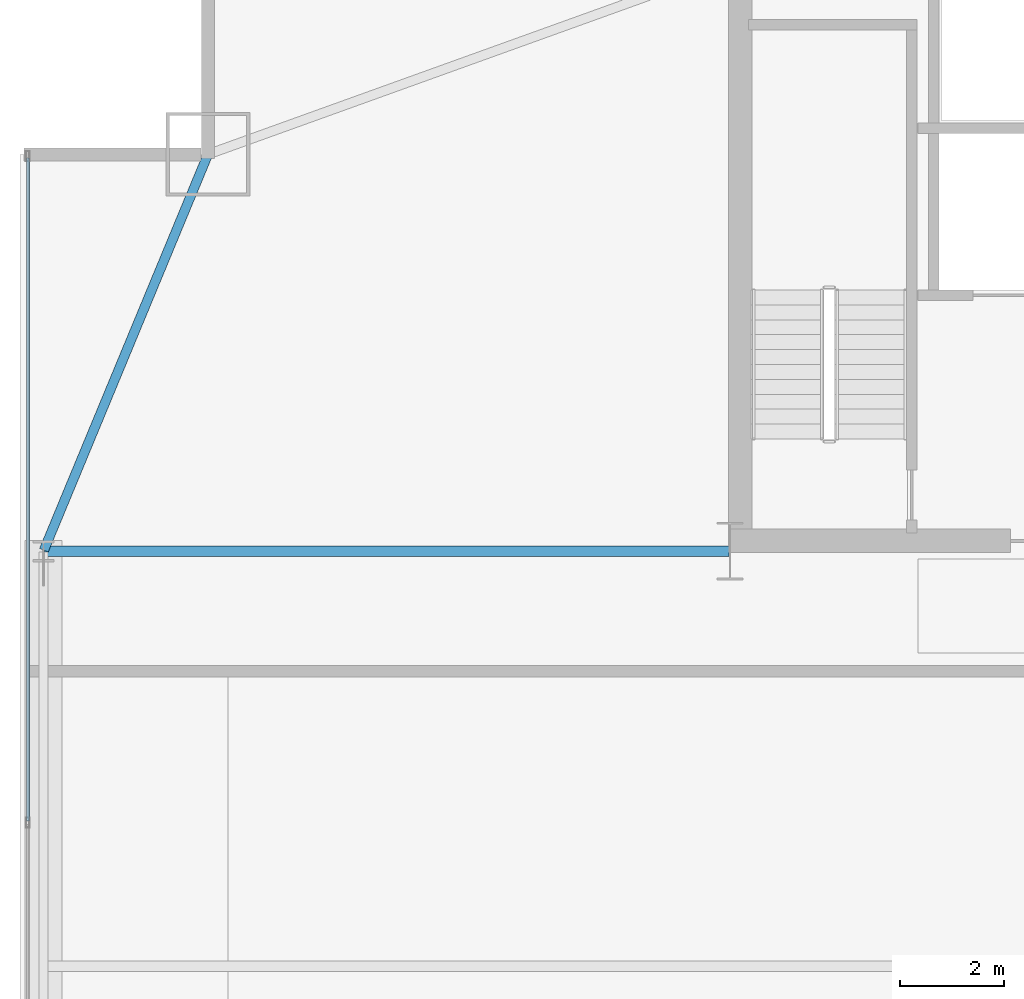
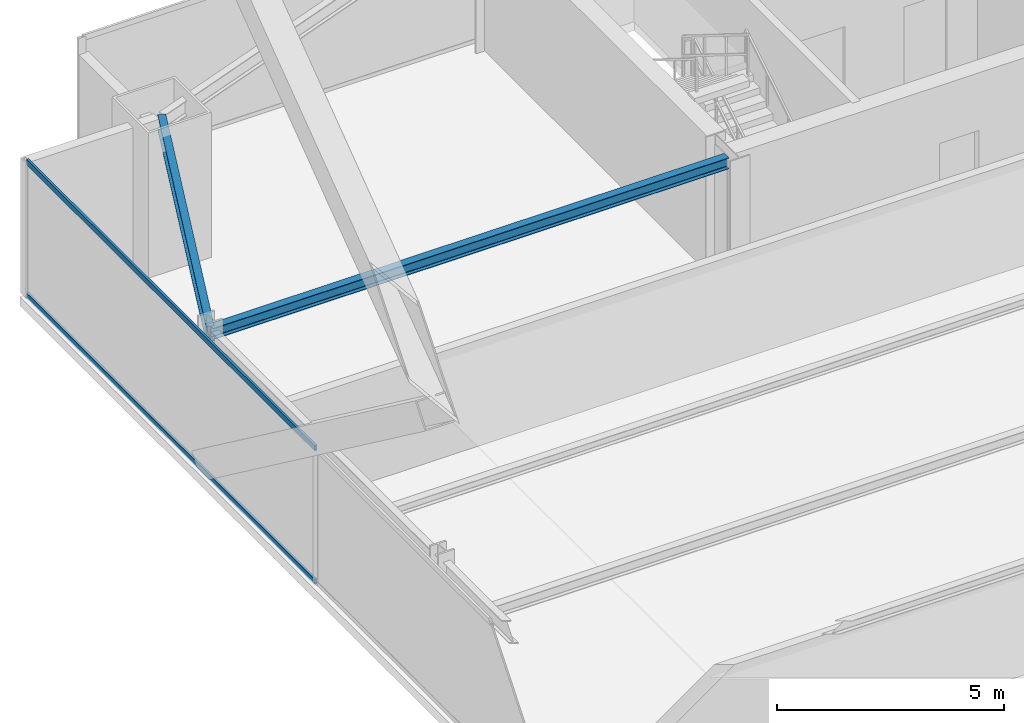
# One storey, part 20 of 32: 2 beams, 2 members, 1 element without a shape of its own.
"""IFC4 building model written with IfcOpenShell, lengths in metres."""

from ifc_helpers import new_model, si_unit, direction, frame, origin, origin_2d, place, context, subcontext, project, spatial, hollow_rectangle, i_section, extrude, source, transform, mapped, material, layer, layer_set, material_profile, profile_set, type_object, type_shapes, element, aggregate, save


model = new_model("IFC4")

# Units and contexts
model_context = context("Model", 3, precision=1e-05, world=origin(), true_north=direction((0.0, 1.0)))
body_context = subcontext(model_context, "Body", "Model", "MODEL_VIEW")
ifc_project = project(units=[si_unit("LENGTHUNIT", "METRE"), si_unit("AREAUNIT", "SQUARE_METRE"), si_unit("VOLUMEUNIT", "CUBIC_METRE"), si_unit("PLANEANGLEUNIT", "RADIAN"), si_unit("MASSUNIT", "GRAM", prefix="KILO")], contexts=[model_context])

# Site, building, storey
site_placement = place(None, origin())
site = spatial("IfcSite", under=ifc_project, at=site_placement, CompositionType="ELEMENT")
building_placement = place(site_placement, origin())
building = spatial("IfcBuilding", under=site, at=building_placement, Name="Varnel Quay Broadcast Tower", CompositionType="ELEMENT")
storey_placement = place(building_placement, frame((0.0, 0.0, 43.199951171875)))
storey = spatial("IfcBuildingStorey", under=building, at=storey_placement, Name="L09", CompositionType="ELEMENT", Elevation=43.199951171875)

# Beams
ifc_material_1 = material(Name="Structural Steel CSA G40.21 350W", Category="steel")
ifc_material_profile_1 = material_profile(ifc_material_1, i_section(OverallWidth=0.180908203125, OverallDepth=0.4169921875, WebThickness=0.010986328125, FlangeThickness=0.018310546875, FilletRadius=0.011962890625, at=origin_2d()), Name="W410X85")
ifc_profile_set_1 = profile_set([ifc_material_profile_1], Name="Structural Steel CSA G40.21 350W")
beam_type_1 = type_object("IfcBeamType", Name="Beam_W410X85", PredefinedType="SPANDREL", material=ifc_profile_set_1)
shared_shape_1 = source(origin(), body_context, "Body", "SweptSolid", [
    extrude(i_section(OverallWidth=0.180908203125, OverallDepth=0.4169921875, WebThickness=0.010986328125, FlangeThickness=0.018310546875, FilletRadius=0.011962890625, at=origin_2d()), origin(), (0.0, 0.0, 1.0), 8.186767578125),
])
type_shapes(beam_type_1, [shared_shape_1])
beam_1_placement = place(storey_placement, frame((2.457763671875, 35.618408203125, 3.441650390625), z_axis=(0.382874132092, 0.923800519038, 0.0), x_axis=(-0.923800519038, 0.382874132092, 0.0)))
element("IfcBeam", 1, at=beam_1_placement, inside=storey, type_object=beam_type_1, Name="L09 West Spandrel TC-W3-MC-NW", PredefinedType="SPANDREL", context=body_context, shape_type="MappedRepresentation", body=[
    mapped(shared_shape_1, transform((0.0, 0.0, 0.0), x_axis=(1.0, 0.0, 0.0), y_axis=(0.0, 1.0, 0.0), z_axis=(0.0, 0.0, 1.0), scale=1.0)),
])
ifc_material_profile_2 = material_profile(ifc_material_1, i_section(OverallWidth=0.202880859375, OverallDepth=0.302978515625, WebThickness=0.007568359375, FlangeThickness=0.01318359375, FilletRadius=0.011962890625, at=origin_2d()), Name="W310X60")
ifc_profile_set_2 = profile_set([ifc_material_profile_2], Name="Structural Steel CSA G40.21 350W")
beam_type_2 = type_object("IfcBeamType", Name="Beam_W310X60", PredefinedType="JOIST", material=ifc_profile_set_2)
shared_shape_2 = source(origin(), body_context, "Body", "SweptSolid", [
    extrude(i_section(OverallWidth=0.202880859375, OverallDepth=0.302978515625, WebThickness=0.007568359375, FlangeThickness=0.01318359375, FilletRadius=0.011962890625, at=origin_2d()), origin(), (0.0, 0.0, 1.0), 13.110107421875),
])
type_shapes(beam_type_2, [shared_shape_2])
beam_2_placement = place(storey_placement, frame((2.469970703125, 35.60009765625, 3.49853515625), z_axis=(1.0, 0.0, 0.0), x_axis=(0.0, 1.0, 0.0)))
element("IfcBeam", 2, at=beam_2_placement, inside=storey, type_object=beam_type_2, Name="L09 West Core Tie Joist", PredefinedType="JOIST", context=body_context, shape_type="MappedRepresentation", body=[
    mapped(shared_shape_2, transform((0.0, 0.0, 0.0), x_axis=(1.0, 0.0, 0.0), y_axis=(0.0, 1.0, 0.0), z_axis=(0.0, 0.0, 1.0), scale=1.0)),
])

# Curtain wall, members
ifc_material_2 = material(Name="Anodised Bronze Aluminium 6063-T6", Category="aluminium")
ifc_layer = layer(ifc_material_2, 0.18994140625, Name="Anodised Bronze Aluminium 6063-T6")
ifc_layer_set = layer_set([ifc_layer], Name="Anodised Bronze Aluminium 6063-T6")
curtain_wall_type = type_object("IfcCurtainWallType", Name="CW_LowerTower", PredefinedType="NOTDEFINED", material=ifc_layer_set)
curtain_wall_placement = place(storey_placement, origin())
curtain_wall = element("IfcCurtainWall", 3, at=curtain_wall_placement, inside=storey, type_object=curtain_wall_type, Name="L09 West Unitised Curtain Wall", PredefinedType="NOTDEFINED")
ifc_material_profile_3 = material_profile(ifc_material_2, hollow_rectangle(XDim=0.06005859375, YDim=0.14501953125, WallThickness=0.00341796875, at=origin_2d()), Name="ALU60X145X3.5")
ifc_profile_set_3 = profile_set([ifc_material_profile_3], Name="Anodised Bronze Aluminium 6063-T6")
member_type = type_object("IfcMemberType", Name="Tran_CWS-02", PredefinedType="USERDEFINED", material=ifc_profile_set_3)
shared_shape_3 = source(origin(), body_context, "Body", "SweptSolid", [
    extrude(hollow_rectangle(XDim=0.06005859375, YDim=0.14501953125, WallThickness=0.00341796875, at=origin_2d()), origin(), (0.0, 0.0, 1.0), 12.69482421875),
])
type_shapes(member_type, [shared_shape_3])
member_1_placement = place(storey_placement, frame((2.14990234375, 30.43505859375, 0.030029296875), z_axis=(0.0, 1.0, 0.0), x_axis=(-1.0, 0.0, 0.0)))
member_1 = element("IfcMember", 4, at=member_1_placement, type_object=member_type, Name="CWS-02 transom 3.1", ObjectType="TRANSOM", PredefinedType="USERDEFINED", context=body_context, shape_type="MappedRepresentation", body=[
    mapped(shared_shape_3, transform((0.0, 0.0, 0.0), x_axis=(1.0, 0.0, 0.0), y_axis=(0.0, 1.0, 0.0), z_axis=(0.0, 0.0, 1.0), scale=1.0)),
])
member_2_placement = place(storey_placement, frame((2.14990234375, 30.43505859375, 3.6201171875), z_axis=(0.0, 1.0, 0.0), x_axis=(-1.0, 0.0, 0.0)))
member_2 = element("IfcMember", 5, at=member_2_placement, type_object=member_type, Name="CWS-02 transom 3.2", ObjectType="TRANSOM", PredefinedType="USERDEFINED", context=body_context, shape_type="MappedRepresentation", body=[
    mapped(shared_shape_3, transform((0.0, 0.0, 0.0), x_axis=(1.0, 0.0, 0.0), y_axis=(0.0, 1.0, 0.0), z_axis=(0.0, 0.0, 1.0), scale=1.0)),
])
aggregate(curtain_wall, [member_1, member_2])

save(model, "model.ifc")
